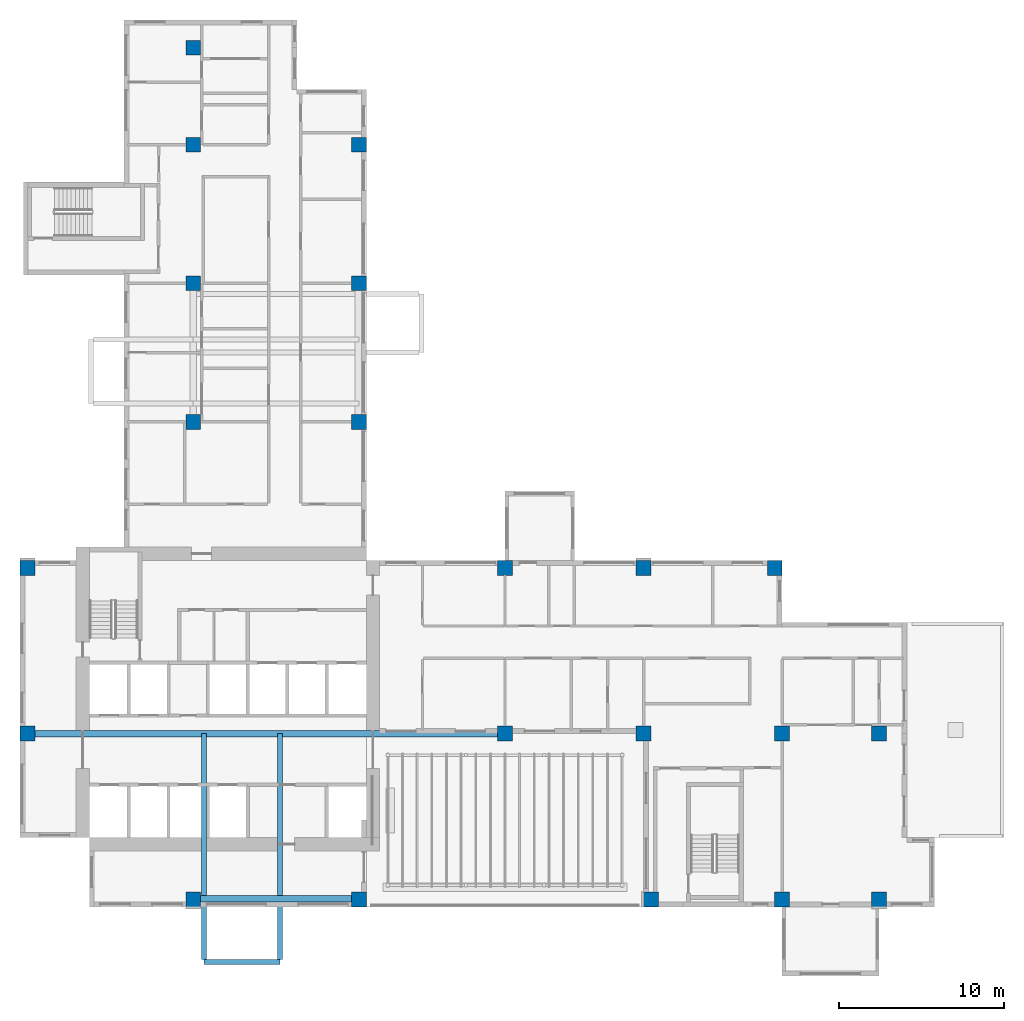
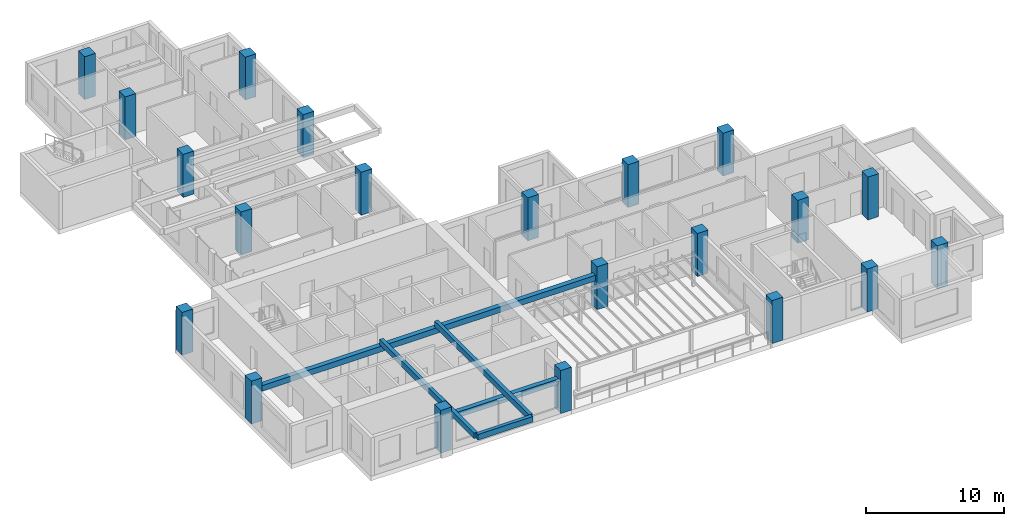
# One storey, part 1 of 13: 21 columns, 5 beams.
"""IFC4 building model written with IfcOpenShell, lengths in metres."""

from ifc_helpers import new_model, si_unit, direction, frame, origin, origin_2d, place, context, subcontext, project, spatial, rectangle, extrude, source, transform, mapped, material, material_profile, profile_set, type_object, element, save


model = new_model("IFC4")

# Units and contexts
model_context = context("Model", 3, precision=1e-05, world=origin(), true_north=direction((0.0, 1.0)))
body_context = subcontext(model_context, "Body", "Model", "MODEL_VIEW")
ifc_project = project(units=[si_unit("LENGTHUNIT", "METRE"), si_unit("AREAUNIT", "SQUARE_METRE"), si_unit("VOLUMEUNIT", "CUBIC_METRE"), si_unit("PLANEANGLEUNIT", "RADIAN"), si_unit("MASSUNIT", "GRAM", prefix="KILO")], contexts=[model_context])

# Site, building, storey
site_placement = place(None, origin())
site = spatial("IfcSite", under=ifc_project, at=site_placement, CompositionType="ELEMENT")
building_placement = place(site_placement, origin())
building = spatial("IfcBuilding", under=site, at=building_placement, Name="Aurelian Terraces", CompositionType="ELEMENT")
storey_placement = place(building_placement, frame((0.0, 0.0, 204.4)))
storey = spatial("IfcBuildingStorey", under=building, at=storey_placement, Name="L45", CompositionType="ELEMENT", Elevation=204.4)

# Columns
ifc_material_1 = material(Name="Concrete fc' 70 MPa", Category="concrete")
ifc_material_profile_1 = material_profile(ifc_material_1, rectangle(XDim=0.9, YDim=0.9, at=origin_2d()))
ifc_profile_set_1 = profile_set([ifc_material_profile_1], Name="Concrete fc' 70 MPa")
column_type = type_object("IfcColumnType", Name="RC COLUMN 900X900 FC70", PredefinedType="COLUMN", material=ifc_profile_set_1)
shared_shape_1 = source(origin(), body_context, "Body", "SweptSolid", [
    extrude(rectangle(XDim=0.9, YDim=0.9, at=origin_2d()), origin(), (0.0, 0.0, 1.0), 3.8),
])
for number, where, z_axis, x_axis, name in (
    (1, (10.5, 0.45, 0.0), (0.0, 0.0, 1.0), (1.0, 0.0, 0.0), "Column 2/A L45"),
    (2, (20.55, 0.45, 0.0), (0.0, 0.0, 1.0), (1.0, 0.0, 0.0), "Column 3/A L45"),
    (3, (38.25, 0.45, 0.0), (0.0, 0.0, 1.0), (1.0, 0.0, 0.0), "Column 5/A L45"),
    (4, (46.2, 0.45, 0.0), (0.0, 0.0, 1.0), (1.0, 0.0, 0.0), "Column 6/A L45"),
    (5, (52.08, 0.45, 0.0), (0.0, 0.0, 1.0), (1.0, 0.0, 0.0), "Column 7/A L45"),
    (6, (0.45, 10.5, 0.0), (0.0, 0.0, 1.0), (1.0, 0.0, 0.0), "Column 1/B L45"),
    (7, (29.4, 10.5, 0.0), (0.0, 0.0, 1.0), (1.0, 0.0, 0.0), "Column 4/B L45"),
    (8, (37.8, 10.5, 0.0), (0.0, 0.0, 1.0), (1.0, 0.0, 0.0), "Column 5/B L45"),
    (9, (46.2, 10.5, 0.0), (0.0, 0.0, 1.0), (1.0, 0.0, 0.0), "Column 6/B L45"),
    (10, (52.08, 10.5, 0.0), (0.0, 0.0, 1.0), (1.0, 0.0, 0.0), "Column 7/B L45"),
    (11, (0.45, 20.55, 0.0), (0.0, 0.0, 1.0), (1.0, 0.0, 0.0), "Column 1/C L45"),
    (12, (29.4, 20.55, 0.0), (0.0, 0.0, 1.0), (1.0, 0.0, 0.0), "Column 4/C L45"),
    (13, (37.8, 20.55, 0.0), (0.0, 0.0, 1.0), (1.0, 0.0, 0.0), "Column 5/C L45"),
    (14, (45.75, 20.55, 0.0), (0.0, 0.0, 1.0), (1.0, 0.0, 0.0), "Column 6/C L45"),
    (15, (10.5, 29.4, 0.0), (0.0, 0.0, 1.0), (1.0, 0.0, 0.0), "Column 2/D L45"),
    (16, (20.55, 29.4, 0.0), (0.0, 0.0, 1.0), (1.0, 0.0, 0.0), "Column 3/D L45"),
    (17, (10.5, 37.8, 0.0), (0.0, 0.0, 1.0), (1.0, 0.0, 0.0), "Column 2/E L45"),
    (18, (20.55, 37.8, 0.0), (0.0, 0.0, 1.0), (1.0, 0.0, 0.0), "Column 3/E L45"),
    (19, (10.5, 46.2, 0.0), (0.0, 0.0, 1.0), (1.0, 0.0, 0.0), "Column 2/F L45"),
    (20, (20.55, 46.2, 0.0), (0.0, 0.0, 1.0), (1.0, 0.0, 0.0), "Column 3/F L45"),
    (21, (10.5, 52.08, 0.0), (0.0, 0.0, 1.0), (1.0, 0.0, 0.0), "Column 2/G L45"),
):
    element("IfcColumn", number, at=place(storey_placement, frame(where, z_axis=z_axis, x_axis=x_axis)), inside=storey, type_object=column_type, Name=name, PredefinedType="COLUMN", context=body_context, shape_type="MappedRepresentation", body=[
        mapped(shared_shape_1, transform((0.0, 0.0, 0.0), scale=1.0)),
    ])

# Beams
ifc_material_2 = material(Name="Concrete fc' 40 MPa", Category="concrete")
ifc_material_profile_2 = material_profile(ifc_material_2, rectangle(XDim=0.4, YDim=0.5, at=origin_2d()))
ifc_profile_set_2 = profile_set([ifc_material_profile_2], Name="Concrete fc' 40 MPa")
beam_type_1 = type_object("IfcBeamType", Name="CONCRETE EDGE GIRDER 400X500", PredefinedType="BEAM", material=ifc_profile_set_2)
beam_1_placement = place(storey_placement, frame((10.95, 0.5, 2.65), z_axis=(1.0, 0.0, 0.0), x_axis=(0.0, 1.0, 0.0)))
element("IfcBeam", 22, at=beam_1_placement, inside=storey, type_object=beam_type_1, Name="Box girder L45 O130", PredefinedType="BEAM", context=body_context, shape_type="SweptSolid", body=[
    extrude(rectangle(XDim=0.4, YDim=0.5, at=origin_2d()), origin(), (0.0, 0.0, 1.0), 9.15),
])
ifc_material_profile_3 = material_profile(ifc_material_2, rectangle(XDim=0.3, YDim=0.5, at=origin_2d()))
ifc_profile_set_3 = profile_set([ifc_material_profile_3], Name="Concrete fc' 40 MPa")
beam_type_2 = type_object("IfcBeamType", Name="CONCRETE CANTILEVER BEAM 300X500", PredefinedType="BEAM", material=ifc_profile_set_3)
shared_shape_2 = source(origin(), body_context, "Body", "SweptSolid", [
    extrude(rectangle(XDim=0.3, YDim=0.5, at=origin_2d()), origin(), (0.0, 0.0, 1.0), 13.7),
])
for number, where, z_axis, x_axis, name in (
    (23, (11.15, -3.2, 3.15), (0.0, 1.0, 0.0), (-1.0, 0.0, 0.0), "Box cantilever beam J64.1"),
    (24, (15.75, -3.2, 3.15), (0.0, 1.0, 0.0), (-1.0, 0.0, 0.0), "Box cantilever beam J64.2"),
):
    element("IfcBeam", number, at=place(storey_placement, frame(where, z_axis=z_axis, x_axis=x_axis)), inside=storey, type_object=beam_type_2, Name=name, PredefinedType="BEAM", context=body_context, shape_type="MappedRepresentation", body=[
        mapped(shared_shape_2, transform((0.0, 0.0, 0.0), scale=1.0)),
    ])
shared_shape_3 = source(origin(), body_context, "Body", "SweptSolid", [
    extrude(rectangle(XDim=0.4, YDim=0.5, at=origin_2d()), origin(), (0.0, 0.0, 1.0), 28.05),
])
beam_2_placement = place(storey_placement, frame((0.9, 10.5, 2.65), z_axis=(1.0, 0.0, 0.0), x_axis=(0.0, 1.0, 0.0)))
element("IfcBeam", 25, at=beam_2_placement, inside=storey, type_object=beam_type_1, Name="Box girder L45 I131", PredefinedType="BEAM", context=body_context, shape_type="MappedRepresentation", body=[
    mapped(shared_shape_3, transform((0.0, 0.0, 0.0), scale=1.0)),
])
shared_shape_4 = source(origin(), body_context, "Body", "SweptSolid", [
    extrude(rectangle(XDim=0.3, YDim=0.5, at=origin_2d()), origin(), (0.0, 0.0, 1.0), 4.6),
])
beam_3_placement = place(storey_placement, frame((11.15, -3.35, 3.15), z_axis=(1.0, 0.0, 0.0), x_axis=(0.0, 1.0, 0.0)))
element("IfcBeam", 26, at=beam_3_placement, inside=storey, type_object=beam_type_2, Name="Box tip beam J64", PredefinedType="BEAM", context=body_context, shape_type="MappedRepresentation", body=[
    mapped(shared_shape_4, transform((0.0, 0.0, 0.0), scale=1.0)),
])

save(model, "model.ifc")
